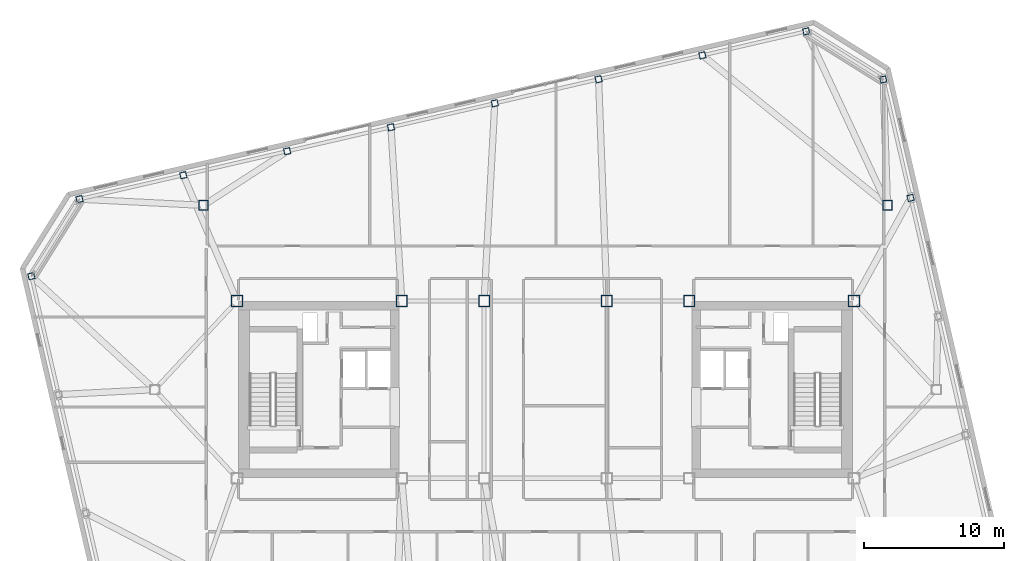
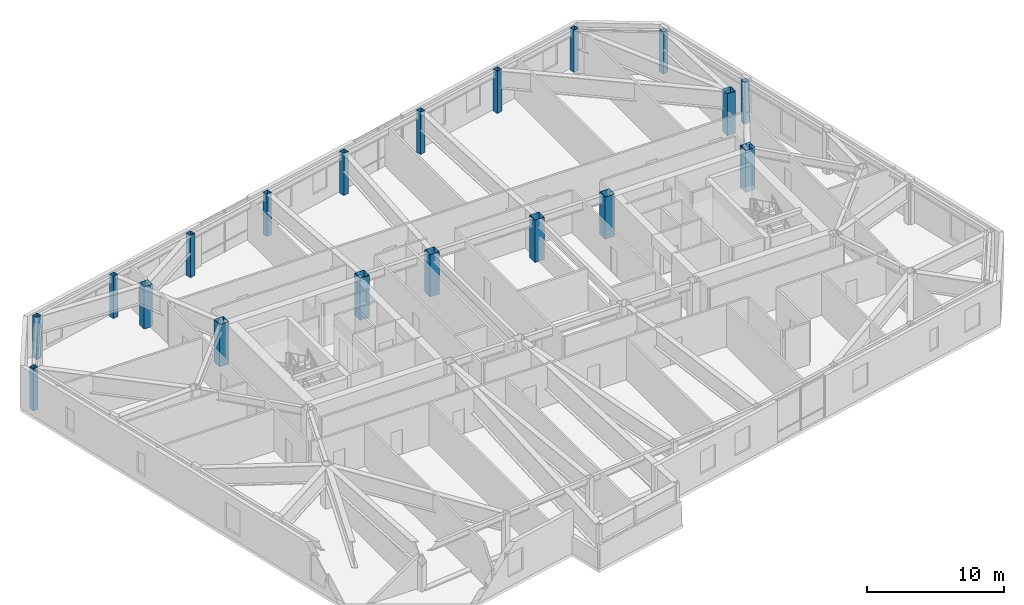
# One storey, part 3 of 21: 19 columns.
"""IFC4 building model written with IfcOpenShell, lengths in metres."""

from ifc_helpers import new_model, si_unit, direction, frame, origin, origin_2d, place, context, subcontext, project, spatial, hollow_rectangle, extrude, material, material_profile, profile_set, type_object, element, save


model = new_model("IFC4")

# Units and contexts
model_context = context("Model", 3, precision=1e-05, world=origin(), true_north=direction((0.0, 1.0)))
body_context = subcontext(model_context, "Body", "Model", "MODEL_VIEW")
ifc_project = project(units=[si_unit("LENGTHUNIT", "METRE"), si_unit("AREAUNIT", "SQUARE_METRE"), si_unit("VOLUMEUNIT", "CUBIC_METRE"), si_unit("PLANEANGLEUNIT", "RADIAN"), si_unit("MASSUNIT", "GRAM", prefix="KILO")], contexts=[model_context])

# Site, building, storey
site_placement = place(None, origin())
site = spatial("IfcSite", under=ifc_project, at=site_placement, CompositionType="ELEMENT")
building_placement = place(site_placement, origin())
building = spatial("IfcBuilding", under=site, at=building_placement, Name="Tavrogorsk Clinical Tower", CompositionType="ELEMENT")
storey_placement = place(building_placement, frame((0.0, 0.0, 281.0)))
storey = spatial("IfcBuildingStorey", under=building, at=storey_placement, Name="L65", CompositionType="ELEMENT", Elevation=281.0)

# Columns
ifc_material_1 = material(Name="Structural steel S440", Category="steel")
ifc_material_profile_1 = material_profile(ifc_material_1, hollow_rectangle(XDim=0.699951171875, YDim=0.699951171875, WallThickness=0.031982421875, at=origin_2d()), Name="BOX-700x700x32")
ifc_profile_set_1 = profile_set([ifc_material_profile_1], Name="Structural steel S440")
column_type_1 = type_object("IfcColumnType", Name="MegaCol_BOX700", PredefinedType="COLUMN", material=ifc_profile_set_1)
for number, where, z_axis, x_axis, name in (
    (1, (-24.5, 13.199951171875, 0.0), (0.0, 0.0, 1.0), (1.0, 0.0, 0.0), "L65 Spine Pilotis Column MC-P3"),
    (2, (24.5, 13.199951171875, 0.0), (0.0, 0.0, 1.0), (1.0, 0.0, 0.0), "L65 Spine Pilotis Column MC-P4"),
):
    element("IfcColumn", number, at=place(storey_placement, frame(where, z_axis=z_axis, x_axis=x_axis)), inside=storey, type_object=column_type_1, Name=name, PredefinedType="COLUMN", context=body_context, shape_type="SweptSolid", body=[
        extrude(hollow_rectangle(XDim=0.699951171875, YDim=0.699951171875, WallThickness=0.031982421875, at=origin_2d()), origin(), (0.0, 0.0, 1.0), 3.739990234375),
    ])
ifc_material_2 = material(Name="Structural steel S440", Category="steel")
ifc_material_profile_2 = material_profile(ifc_material_2, hollow_rectangle(XDim=0.800048828125, YDim=0.800048828125, WallThickness=0.035888671875, at=origin_2d()), Name="BOX-800x800x36")
ifc_profile_set_2 = profile_set([ifc_material_profile_2], Name="Structural steel S440")
column_type_2 = type_object("IfcColumnType", Name="MegaCol_BOX800", PredefinedType="COLUMN", material=ifc_profile_set_2)
for number, where, z_axis, x_axis, name in (
    (3, (-22.10009765625, 6.35009765625, 0.0), (0.0, 0.0, 1.0), (1.0, 0.0, 0.0), "L65 Mega Column MC-W2"),
    (4, (-10.300048828125, 6.35009765625, 0.0), (0.0, 0.0, 1.0), (1.0, 0.0, 0.0), "L65 Mega Column MC-W4"),
    (5, (10.300048828125, 6.35009765625, 0.0), (0.0, 0.0, 1.0), (1.0, 0.0, 0.0), "L65 Mega Column MC-E2"),
    (6, (22.10009765625, 6.35009765625, 0.0), (0.0, 0.0, 1.0), (1.0, 0.0, 0.0), "L65 Mega Column MC-E4"),
    (7, (-4.39990234375, 6.35009765625, 0.0), (0.0, 0.0, 1.0), (1.0, 0.0, 0.0), "L65 Mega Column MC-C3"),
    (8, (4.39990234375, 6.35009765625, 0.0), (0.0, 0.0, 1.0), (1.0, 0.0, 0.0), "L65 Mega Column MC-C4"),
):
    element("IfcColumn", number, at=place(storey_placement, frame(where, z_axis=z_axis, x_axis=x_axis)), inside=storey, type_object=column_type_2, Name=name, PredefinedType="COLUMN", context=body_context, shape_type="SweptSolid", body=[
        extrude(hollow_rectangle(XDim=0.800048828125, YDim=0.800048828125, WallThickness=0.035888671875, at=origin_2d()), origin(), (0.0, 0.0, 1.0), 3.739990234375),
    ])
ifc_material_3 = material(Name="Structural steel S440", Category="steel")
ifc_material_profile_3 = material_profile(ifc_material_3, hollow_rectangle(XDim=0.449951171875, YDim=0.449951171875, WallThickness=0.02197265625, at=origin_2d()), Name="BOX-450x450x22")
ifc_profile_set_3 = profile_set([ifc_material_profile_3], Name="Structural steel S440")
column_type_3 = type_object("IfcColumnType", Name="PerimCol_B5_BOX450", PredefinedType="COLUMN", material=ifc_profile_set_3)
for number, where, z_axis, x_axis, name in (
    (9, (18.681640625, 25.666259765625, 0.0), (0.0, 0.0, 1.0), (0.974370064785, 0.224951054344, 0.0), "L65 Perimeter Column N1"),
    (10, (11.2431640625, 23.948974609375, 0.0), (0.0, 0.0, 1.0), (0.974370064785, 0.224951054344, 0.0), "L65 Perimeter Column N2"),
    (11, (3.804443359375, 22.231689453125, 0.0), (0.0, 0.0, 1.0), (0.974370064785, 0.224951054344, 0.0), "L65 Perimeter Column N3"),
    (12, (-3.63427734375, 20.514404296875, 0.0), (0.0, 0.0, 1.0), (0.974370064785, 0.224951054344, 0.0), "L65 Perimeter Column N4"),
    (13, (-11.07275390625, 18.797119140625, 0.0), (0.0, 0.0, 1.0), (0.974370064785, 0.224951054344, 0.0), "L65 Perimeter Column N5"),
    (14, (-18.51123046875, 17.07958984375, 0.0), (0.0, 0.0, 1.0), (0.974370064785, 0.224951054344, 0.0), "L65 Perimeter Column N6"),
    (15, (-25.949951171875, 15.3623046875, 0.0), (0.0, 0.0, 1.0), (0.974370064785, 0.224951054344, 0.0), "L65 Perimeter Column N7"),
    (16, (-33.388671875, 13.64501953125, 0.0), (0.0, 0.0, 1.0), (0.974370064785, 0.224951054344, 0.0), "L65 Perimeter Column N8"),
    (17, (26.157958984375, 13.732177734375, 0.0), (0.0, 0.0, 1.0), (0.974370064785, 0.224951054344, 0.0), "L65 Perimeter Column E4"),
    (18, (24.198486328125, 22.218994140625, 0.0), (0.0, 0.0, 1.0), (0.974370064785, 0.224951054344, 0.0), "L65 Perimeter Column E5"),
    (19, (-36.8359375, 8.128173828125, 0.0), (0.0, 0.0, 1.0), (0.974370064785, 0.224951054344, 0.0), "L65 Perimeter Column W1"),
):
    element("IfcColumn", number, at=place(storey_placement, frame(where, z_axis=z_axis, x_axis=x_axis)), inside=storey, type_object=column_type_3, Name=name, PredefinedType="COLUMN", context=body_context, shape_type="SweptSolid", body=[
        extrude(hollow_rectangle(XDim=0.449951171875, YDim=0.449951171875, WallThickness=0.02197265625, at=origin_2d()), origin(), (0.0, 0.0, 1.0), 3.739990234375),
    ])

save(model, "model.ifc")
